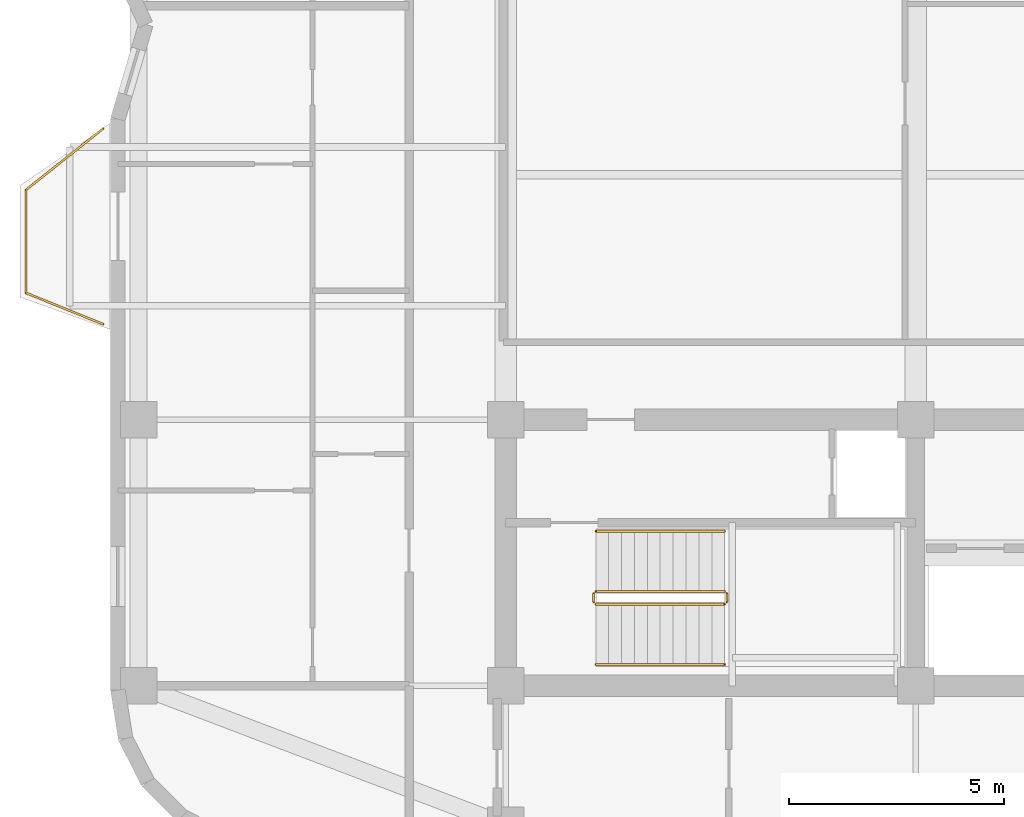
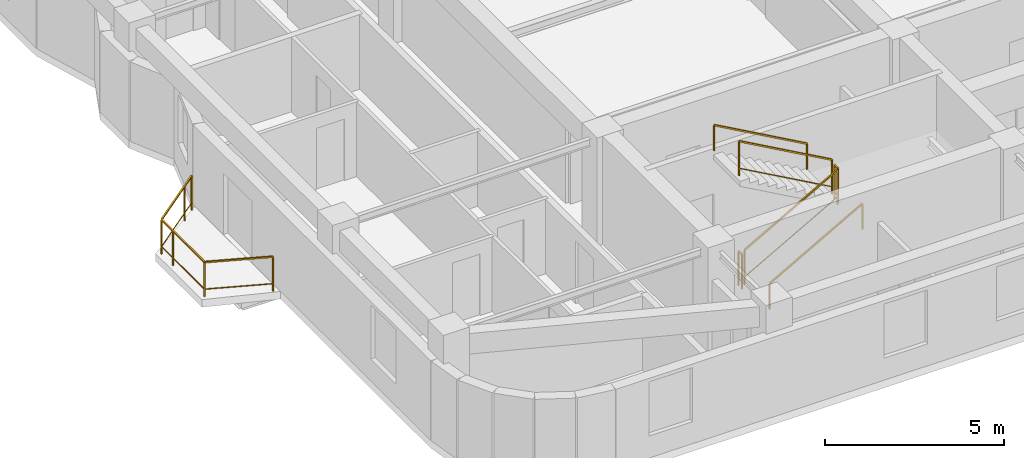
# One storey, part 8 of 9: 7 railings.
"""IFC4 building model written with IfcOpenShell, lengths in metres."""

from ifc_helpers import new_model, si_unit, direction, frame, origin, origin_2d, place, context, subcontext, project, spatial, rectangle, extrude, material, type_object, element, save


model = new_model("IFC4")

# Units and contexts
model_context = context("Model", 3, precision=1e-05, world=origin(), true_north=direction((0.0, 1.0)))
body_context = subcontext(model_context, "Body", "Model", "MODEL_VIEW")
ifc_project = project(units=[si_unit("LENGTHUNIT", "METRE"), si_unit("AREAUNIT", "SQUARE_METRE"), si_unit("VOLUMEUNIT", "CUBIC_METRE"), si_unit("PLANEANGLEUNIT", "RADIAN"), si_unit("MASSUNIT", "GRAM", prefix="KILO")], contexts=[model_context])

# Site, building, storey
site_placement = place(None, origin())
site = spatial("IfcSite", under=ifc_project, at=site_placement, CompositionType="ELEMENT")
building_placement = place(site_placement, origin())
building = spatial("IfcBuilding", under=site, at=building_placement, Name="Svetorya Sky Lyceum", CompositionType="ELEMENT")
storey_placement = place(building_placement, frame((0.0, 0.0, 211.0)))
storey = spatial("IfcBuildingStorey", under=building, at=storey_placement, Name="L52", CompositionType="ELEMENT", Elevation=211.0)

# Railings
ifc_material_1 = material(Name="Laminated safety glass and stainless AISI 316", Category="glass")
railing_type_1 = type_object("IfcRailingType", Name="RL-BAL-1200", PredefinedType="BALUSTRADE", material=ifc_material_1)
railing_1_placement = place(storey_placement, frame((16.22998046875, 19.02001953125, 0.0)))
element("IfcRailing", 1, at=railing_1_placement, inside=storey, type_object=railing_type_1, Name="L52 Balcony Balustrade BAL-W1", PredefinedType="BALUSTRADE", context=body_context, shape_type="SweptSolid", body=[
    extrude(rectangle(XDim=0.048095703125, YDim=0.048095703125, at=origin_2d()), frame((0.0, 0.0, 1.17578125), z_axis=(-0.926697865975, 0.375807218129, 0.0), x_axis=(-0.375807218129, -0.926697865975, 0.0)), (0.0, 0.0, 1.0), 1.9423828125),
    extrude(rectangle(XDim=0.02392578125, YDim=0.02392578125, at=origin_2d()), frame((0.0, 0.0, 0.25), z_axis=(-0.926697865975, 0.375807218129, 0.0), x_axis=(-0.375807218129, -0.926697865975, 0.0)), (0.0, 0.0, 1.0), 1.9423828125),
    extrude(rectangle(XDim=0.048095703125, YDim=0.048095703125, at=origin_2d()), frame((-1.800048828125, 0.72998046875, 1.17578125), z_axis=(0.0, 1.0, 0.0), x_axis=(-1.0, 0.0, 0.0)), (0.0, 0.0, 1.0), 2.39990234375),
    extrude(rectangle(XDim=0.02392578125, YDim=0.02392578125, at=origin_2d()), frame((-1.800048828125, 0.72998046875, 0.25), z_axis=(0.0, 1.0, 0.0), x_axis=(-1.0, 0.0, 0.0)), (0.0, 0.0, 1.0), 2.39990234375),
    extrude(rectangle(XDim=0.048095703125, YDim=0.048095703125, at=origin_2d()), frame((-1.800048828125, 3.1298828125, 1.17578125), z_axis=(0.782957196596, 0.622075580857, 0.0), x_axis=(-0.622075580857, 0.782957196596, 0.0)), (0.0, 0.0, 1.0), 2.299072265625),
    extrude(rectangle(XDim=0.02392578125, YDim=0.02392578125, at=origin_2d()), frame((-1.800048828125, 3.1298828125, 0.25), z_axis=(0.782957196596, 0.622075580857, 0.0), x_axis=(-0.622075580857, 0.782957196596, 0.0)), (0.0, 0.0, 1.0), 2.299072265625),
    extrude(rectangle(XDim=0.0419921875, YDim=0.0419921875, at=origin_2d()), origin(), (0.0, 0.0, 1.0), 1.15185546875),
    extrude(rectangle(XDim=0.0419921875, YDim=0.0419921875, at=origin_2d()), frame((-1.800048828125, 0.72998046875, 0.0)), (0.0, 0.0, 1.0), 1.15185546875),
    extrude(rectangle(XDim=0.0419921875, YDim=0.0419921875, at=origin_2d()), frame((-1.800048828125, 2.47998046875, 0.0)), (0.0, 0.0, 1.0), 1.15185546875),
    extrude(rectangle(XDim=0.0419921875, YDim=0.0419921875, at=origin_2d()), frame((-1.800048828125, 3.1298828125, 0.0)), (0.0, 0.0, 1.0), 1.15185546875),
    extrude(rectangle(XDim=0.0419921875, YDim=0.0419921875, at=origin_2d()), frame((-0.429931640625, 4.218505859375, 0.0)), (0.0, 0.0, 1.0), 1.15185546875),
    extrude(rectangle(XDim=0.0419921875, YDim=0.0419921875, at=origin_2d()), frame((0.0, 4.56005859375, 0.0)), (0.0, 0.0, 1.0), 1.15185546875),
])
ifc_material_2 = material(Name="Painted galvanized stair well guard")
railing_type_2 = type_object("IfcRailingType", Name="RL-STR-GUARD-1200", PredefinedType="GUARDRAIL", material=ifc_material_2)
railing_2_placement = place(storey_placement, frame((27.699951171875, 12.5, 0.168212890625)))
element("IfcRailing", 2, at=railing_2_placement, inside=storey, type_object=railing_type_2, Name="L52 ST-S stair guard 1", PredefinedType="GUARDRAIL", context=body_context, shape_type="SweptSolid", body=[
    extrude(rectangle(XDim=0.048095703125, YDim=0.048095703125, at=origin_2d()), frame((0.0, 0.0, 1.17578125), z_axis=(0.872272294576, 0.0, 0.489020494575), x_axis=(0.0, 1.0, 0.0)), (0.0, 0.0, 1.0), 3.439208984375),
    extrude(rectangle(XDim=0.02392578125, YDim=0.02392578125, at=origin_2d()), frame((0.0, 0.0, 0.25), z_axis=(0.872272294576, 0.0, 0.489020494575), x_axis=(0.0, 1.0, 0.0)), (0.0, 0.0, 1.0), 3.439208984375),
    extrude(rectangle(XDim=0.0419921875, YDim=0.0419921875, at=origin_2d()), origin(), (0.0, 0.0, 1.0), 1.15185546875),
    extrude(rectangle(XDim=0.0419921875, YDim=0.0419921875, at=origin_2d()), frame((3.0, 0.0, 1.681884765625)), (0.0, 0.0, 1.0), 1.15185546875),
])
railing_3_placement = place(storey_placement, frame((30.75, 12.550048828125, 1.85009765625)))
element("IfcRailing", 3, at=railing_3_placement, inside=storey, type_object=railing_type_2, Name="L52 ST-S stair guard 2", PredefinedType="GUARDRAIL", context=body_context, shape_type="SweptSolid", body=[
    extrude(rectangle(XDim=0.048095703125, YDim=0.048095703125, at=origin_2d()), frame((0.0, 0.0, 1.17578125), z_axis=(0.0, 1.0, 0.0), x_axis=(-1.0, 0.0, 0.0)), (0.0, 0.0, 1.0), 0.199951171875),
    extrude(rectangle(XDim=0.02392578125, YDim=0.02392578125, at=origin_2d()), frame((0.0, 0.0, 0.25), z_axis=(0.0, 1.0, 0.0), x_axis=(-1.0, 0.0, 0.0)), (0.0, 0.0, 1.0), 0.199951171875),
    extrude(rectangle(XDim=0.0419921875, YDim=0.0419921875, at=origin_2d()), origin(), (0.0, 0.0, 1.0), 1.15185546875),
    extrude(rectangle(XDim=0.0419921875, YDim=0.0419921875, at=origin_2d()), frame((0.0, 0.199951171875, 0.0)), (0.0, 0.0, 1.0), 1.15185546875),
])
railing_4_placement = place(storey_placement, frame((30.699951171875, 12.800048828125, 2.01806640625)))
element("IfcRailing", 4, at=railing_4_placement, inside=storey, type_object=railing_type_2, Name="L52 ST-S stair guard 3", PredefinedType="GUARDRAIL", context=body_context, shape_type="SweptSolid", body=[
    extrude(rectangle(XDim=0.048095703125, YDim=0.048095703125, at=origin_2d()), frame((0.0, 0.0, 1.17578125), z_axis=(-0.872272294576, 0.0, 0.489020494575), x_axis=(0.0, -1.0, 0.0)), (0.0, 0.0, 1.0), 3.439208984375),
    extrude(rectangle(XDim=0.02392578125, YDim=0.02392578125, at=origin_2d()), frame((0.0, 0.0, 0.25), z_axis=(-0.872272294576, 0.0, 0.489020494575), x_axis=(0.0, -1.0, 0.0)), (0.0, 0.0, 1.0), 3.439208984375),
    extrude(rectangle(XDim=0.0419921875, YDim=0.0419921875, at=origin_2d()), origin(), (0.0, 0.0, 1.0), 1.15185546875),
    extrude(rectangle(XDim=0.0419921875, YDim=0.0419921875, at=origin_2d()), frame((-3.0, 0.0, 1.681884765625)), (0.0, 0.0, 1.0), 1.15185546875),
])
railing_5_placement = place(storey_placement, frame((27.64990234375, 12.550048828125, 0.0)))
element("IfcRailing", 5, at=railing_5_placement, inside=storey, type_object=railing_type_2, Name="L52 ST-S stair guard 4", PredefinedType="GUARDRAIL", context=body_context, shape_type="SweptSolid", body=[
    extrude(rectangle(XDim=0.048095703125, YDim=0.048095703125, at=origin_2d()), frame((0.0, 0.0, 1.17578125), z_axis=(0.0, 1.0, 0.0), x_axis=(-1.0, 0.0, 0.0)), (0.0, 0.0, 1.0), 0.199951171875),
    extrude(rectangle(XDim=0.02392578125, YDim=0.02392578125, at=origin_2d()), frame((0.0, 0.0, 0.25), z_axis=(0.0, 1.0, 0.0), x_axis=(-1.0, 0.0, 0.0)), (0.0, 0.0, 1.0), 0.199951171875),
    extrude(rectangle(XDim=0.0419921875, YDim=0.0419921875, at=origin_2d()), origin(), (0.0, 0.0, 1.0), 1.15185546875),
    extrude(rectangle(XDim=0.0419921875, YDim=0.0419921875, at=origin_2d()), frame((0.0, 0.199951171875, 0.0)), (0.0, 0.0, 1.0), 1.15185546875),
])
ifc_material_3 = material(Name="Brushed stainless AISI 304 stair handrail")
railing_type_3 = type_object("IfcRailingType", Name="RL-STR-HAND-920", PredefinedType="HANDRAIL", material=ifc_material_3)
railing_6_placement = place(storey_placement, frame((27.699951171875, 11.10009765625, 0.168212890625)))
element("IfcRailing", 6, at=railing_6_placement, inside=storey, type_object=railing_type_3, Name="L52 ST-S stair handrail 1", PredefinedType="HANDRAIL", context=body_context, shape_type="SweptSolid", body=[
    extrude(rectangle(XDim=0.048095703125, YDim=0.048095703125, at=origin_2d()), frame((0.0, 0.0, 0.8759765625), z_axis=(0.872272294576, 0.0, 0.489020494575), x_axis=(0.0, 1.0, 0.0)), (0.0, 0.0, 1.0), 3.439208984375),
    extrude(rectangle(XDim=0.0419921875, YDim=0.0419921875, at=origin_2d()), origin(), (0.0, 0.0, 1.0), 0.851806640625),
    extrude(rectangle(XDim=0.0419921875, YDim=0.0419921875, at=origin_2d()), frame((3.0, 0.0, 1.681884765625)), (0.0, 0.0, 1.0), 0.851806640625),
])
railing_7_placement = place(storey_placement, frame((30.699951171875, 14.199951171875, 2.01806640625)))
element("IfcRailing", 7, at=railing_7_placement, inside=storey, type_object=railing_type_3, Name="L52 ST-S stair handrail 2", PredefinedType="HANDRAIL", context=body_context, shape_type="SweptSolid", body=[
    extrude(rectangle(XDim=0.048095703125, YDim=0.048095703125, at=origin_2d()), frame((0.0, 0.0, 0.8759765625), z_axis=(-0.872272294576, 0.0, 0.489020494575), x_axis=(0.0, -1.0, 0.0)), (0.0, 0.0, 1.0), 3.439208984375),
    extrude(rectangle(XDim=0.0419921875, YDim=0.0419921875, at=origin_2d()), origin(), (0.0, 0.0, 1.0), 0.851806640625),
    extrude(rectangle(XDim=0.0419921875, YDim=0.0419921875, at=origin_2d()), frame((-3.0, 0.0, 1.681884765625)), (0.0, 0.0, 1.0), 0.851806640625),
])

save(model, "model.ifc")
